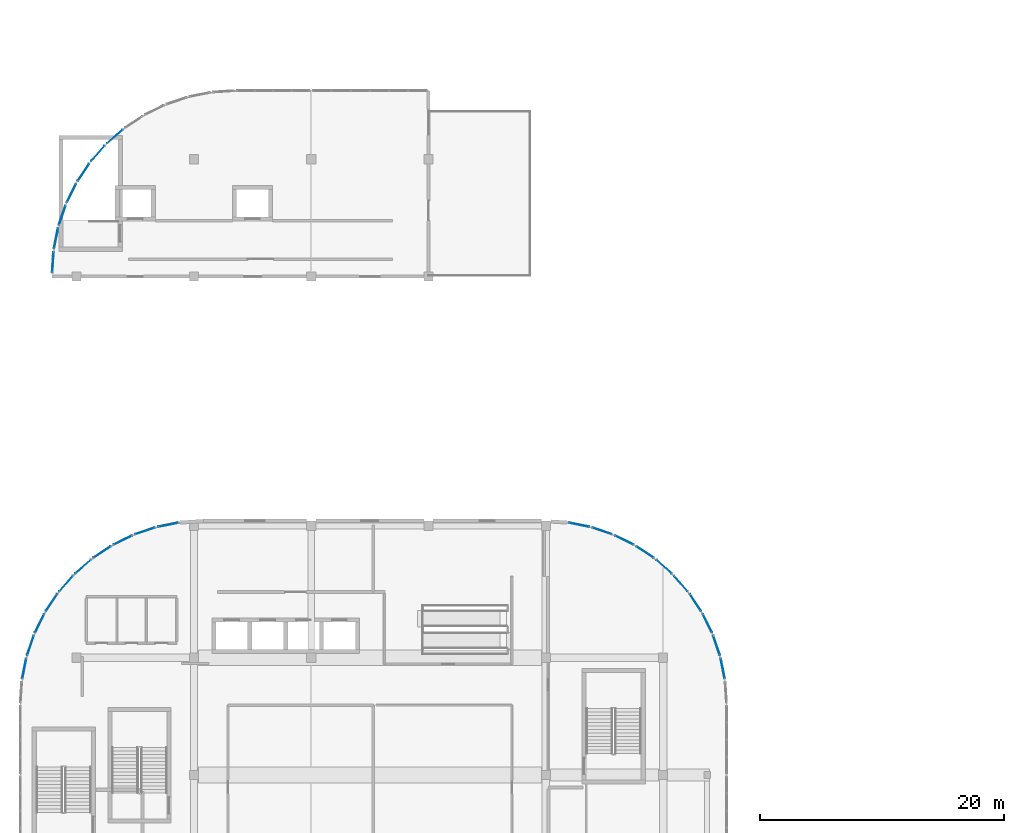
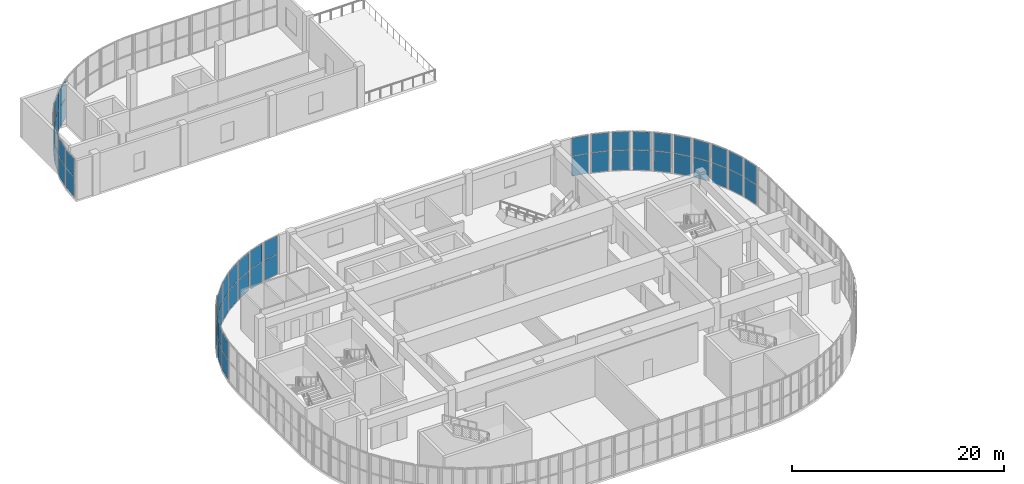
# One storey, part 18 of 28: 54 plates, 27 elements without a shape of their own.
"""IFC4 building model written with IfcOpenShell, lengths in metres."""

from ifc_helpers import new_model, si_unit, direction, frame, origin, origin_2d, place, context, subcontext, project, spatial, rectangle, extrude, material, layer, layer_set, type_object, element, aggregate, save


model = new_model("IFC4")

# Units and contexts
model_context = context("Model", 3, precision=1e-05, world=origin(), true_north=direction((0.0, 1.0)))
body_context = subcontext(model_context, "Body", "Model", "MODEL_VIEW")
ifc_project = project(units=[si_unit("LENGTHUNIT", "METRE"), si_unit("AREAUNIT", "SQUARE_METRE"), si_unit("VOLUMEUNIT", "CUBIC_METRE"), si_unit("PLANEANGLEUNIT", "RADIAN"), si_unit("MASSUNIT", "GRAM", prefix="KILO")], contexts=[model_context])

# Site, building, storey
site_placement = place(None, origin())
site = spatial("IfcSite", under=ifc_project, at=site_placement, CompositionType="ELEMENT")
building_placement = place(site_placement, origin())
building = spatial("IfcBuilding", under=site, at=building_placement, Name="Cendralis Terraced Arcade", CompositionType="ELEMENT")
storey_placement = place(building_placement, frame((0.0, 0.0, 24.60009765625)))
storey = spatial("IfcBuildingStorey", under=building, at=storey_placement, Name="L05", CompositionType="ELEMENT", Elevation=24.60009765625)

# Curtain wall, plates
ifc_material_1 = material(Name="Anodised aluminium EN AW-6063 T6", Category="aluminium")
ifc_layer_1 = layer(ifc_material_1, 0.179931640625, Name="CW-UNIT-A")
ifc_layer_set_1 = layer_set([ifc_layer_1], Name="Anodised aluminium EN AW-6063 T6")
curtain_wall_type = type_object("IfcCurtainWallType", Name="CW-UNIT-A", PredefinedType="USERDEFINED", material=ifc_layer_set_1)
curtain_wall_1_placement = place(storey_placement, origin())
curtain_wall_1 = element("IfcCurtainWall", 1, at=curtain_wall_1_placement, inside=storey, type_object=curtain_wall_type, Name="Exterior Unitised Facade CW-L05-0380", ObjectType="UNITISED FACADE", PredefinedType="USERDEFINED")
ifc_material_2 = material(Name="Tempered solar control laminated glass", Category="glass")
ifc_layer_2 = layer(ifc_material_2, 0.035888671875, Name="CW-UNIT-A-PNL")
ifc_layer_set_2 = layer_set([ifc_layer_2], Name="Tempered solar control laminated glass")
plate_type = type_object("IfcPlateType", Name="CW-UNIT-A-PNL", PredefinedType="CURTAIN_PANEL", material=ifc_layer_set_2)
plate_1_placement = place(storey_placement, frame((5.319580078125, 37.52001953125, 0.06494140625), z_axis=(0.0, 0.0, 1.0), x_axis=(0.195058454434, 0.980791618721, 0.0)))
plate_1 = element("IfcPlate", 2, at=plate_1_placement, type_object=plate_type, Name="CW-U1 panel 1.1", PredefinedType="CURTAIN_PANEL", context=body_context, shape_type="SweptSolid", body=[
    extrude(rectangle(XDim=1.652099609375, YDim=0.035888671875, at=origin_2d()), origin(), (0.0, 0.0, 1.0), 2.247802734375),
])
plate_2_placement = place(storey_placement, frame((5.319580078125, 37.52001953125, 2.37744140625), z_axis=(0.0, 0.0, 1.0), x_axis=(0.195058454434, 0.980791618721, 0.0)))
plate_2 = element("IfcPlate", 3, at=plate_2_placement, type_object=plate_type, Name="CW-U1 panel 1.2", PredefinedType="CURTAIN_PANEL", context=body_context, shape_type="SweptSolid", body=[
    extrude(rectangle(XDim=1.652099609375, YDim=0.035888671875, at=origin_2d()), origin(), (0.0, 0.0, 1.0), 2.0673828125),
])
aggregate(curtain_wall_1, [plate_1, plate_2])

curtain_wall_2_placement = place(storey_placement, origin())
curtain_wall_2 = element("IfcCurtainWall", 4, at=curtain_wall_2_placement, inside=storey, type_object=curtain_wall_type, Name="Exterior Unitised Facade CW-L05-0381", ObjectType="UNITISED FACADE", PredefinedType="USERDEFINED")
plate_3_placement = place(storey_placement, frame((5.826416015625, 39.411376953125, 0.06494140625), z_axis=(0.0, 0.0, 1.0), x_axis=(0.321458077458, 0.946923811316, 0.0)))
plate_3 = element("IfcPlate", 5, at=plate_3_placement, type_object=plate_type, Name="CW-U1 panel 1.1", PredefinedType="CURTAIN_PANEL", context=body_context, shape_type="SweptSolid", body=[
    extrude(rectangle(XDim=1.652099609375, YDim=0.035888671875, at=origin_2d()), origin(), (0.0, 0.0, 1.0), 2.247802734375),
])
plate_4_placement = place(storey_placement, frame((5.826416015625, 39.411376953125, 2.37744140625), z_axis=(0.0, 0.0, 1.0), x_axis=(0.321458077458, 0.946923811316, 0.0)))
plate_4 = element("IfcPlate", 6, at=plate_4_placement, type_object=plate_type, Name="CW-U1 panel 1.2", PredefinedType="CURTAIN_PANEL", context=body_context, shape_type="SweptSolid", body=[
    extrude(rectangle(XDim=1.652099609375, YDim=0.035888671875, at=origin_2d()), origin(), (0.0, 0.0, 1.0), 2.0673828125),
])
aggregate(curtain_wall_2, [plate_3, plate_4])

curtain_wall_3_placement = place(storey_placement, origin())
curtain_wall_3 = element("IfcCurtainWall", 7, at=curtain_wall_3_placement, inside=storey, type_object=curtain_wall_type, Name="Exterior Unitised Facade CW-L05-0382", ObjectType="UNITISED FACADE", PredefinedType="USERDEFINED")
plate_5_placement = place(storey_placement, frame((6.57568359375, 41.22021484375, 0.06494140625), z_axis=(0.0, 0.0, 1.0), x_axis=(0.442291247495, 0.896871480419, 0.0)))
plate_5 = element("IfcPlate", 8, at=plate_5_placement, type_object=plate_type, Name="CW-U1 panel 1.1", PredefinedType="CURTAIN_PANEL", context=body_context, shape_type="SweptSolid", body=[
    extrude(rectangle(XDim=1.652099609375, YDim=0.035888671875, at=origin_2d()), origin(), (0.0, 0.0, 1.0), 2.247802734375),
])
plate_6_placement = place(storey_placement, frame((6.57568359375, 41.22021484375, 2.37744140625), z_axis=(0.0, 0.0, 1.0), x_axis=(0.442291247495, 0.896871480419, 0.0)))
plate_6 = element("IfcPlate", 9, at=plate_6_placement, type_object=plate_type, Name="CW-U1 panel 1.2", PredefinedType="CURTAIN_PANEL", context=body_context, shape_type="SweptSolid", body=[
    extrude(rectangle(XDim=1.652099609375, YDim=0.035888671875, at=origin_2d()), origin(), (0.0, 0.0, 1.0), 2.0673828125),
])
aggregate(curtain_wall_3, [plate_5, plate_6])

curtain_wall_4_placement = place(storey_placement, origin())
curtain_wall_4 = element("IfcCurtainWall", 10, at=curtain_wall_4_placement, inside=storey, type_object=curtain_wall_type, Name="Exterior Unitised Facade CW-L05-0383", ObjectType="UNITISED FACADE", PredefinedType="USERDEFINED")
plate_7_placement = place(storey_placement, frame((7.5546875, 42.915771484375, 0.06494140625), z_axis=(0.0, 0.0, 1.0), x_axis=(0.555567476528, 0.831471454125, 0.0)))
plate_7 = element("IfcPlate", 11, at=plate_7_placement, type_object=plate_type, Name="CW-U1 panel 1.1", PredefinedType="CURTAIN_PANEL", context=body_context, shape_type="SweptSolid", body=[
    extrude(rectangle(XDim=1.652099609375, YDim=0.035888671875, at=origin_2d()), origin(), (0.0, 0.0, 1.0), 2.247802734375),
])
plate_8_placement = place(storey_placement, frame((7.5546875, 42.915771484375, 2.37744140625), z_axis=(0.0, 0.0, 1.0), x_axis=(0.555567476528, 0.831471454125, 0.0)))
plate_8 = element("IfcPlate", 12, at=plate_8_placement, type_object=plate_type, Name="CW-U1 panel 1.2", PredefinedType="CURTAIN_PANEL", context=body_context, shape_type="SweptSolid", body=[
    extrude(rectangle(XDim=1.652099609375, YDim=0.035888671875, at=origin_2d()), origin(), (0.0, 0.0, 1.0), 2.0673828125),
])
aggregate(curtain_wall_4, [plate_7, plate_8])

curtain_wall_5_placement = place(storey_placement, origin())
curtain_wall_5 = element("IfcCurtainWall", 13, at=curtain_wall_5_placement, inside=storey, type_object=curtain_wall_type, Name="Exterior Unitised Facade CW-L05-0384", ObjectType="UNITISED FACADE", PredefinedType="USERDEFINED")
plate_9_placement = place(storey_placement, frame((8.74658203125, 44.468994140625, 0.06494140625), z_axis=(0.0, 0.0, 1.0), x_axis=(0.659386076266, 0.751804497477, 0.0)))
plate_9 = element("IfcPlate", 14, at=plate_9_placement, type_object=plate_type, Name="CW-U1 panel 1.1", PredefinedType="CURTAIN_PANEL", context=body_context, shape_type="SweptSolid", body=[
    extrude(rectangle(XDim=1.652099609375, YDim=0.035888671875, at=origin_2d()), origin(), (0.0, 0.0, 1.0), 2.247802734375),
])
plate_10_placement = place(storey_placement, frame((8.74658203125, 44.468994140625, 2.37744140625), z_axis=(0.0, 0.0, 1.0), x_axis=(0.659386076266, 0.751804497477, 0.0)))
plate_10 = element("IfcPlate", 15, at=plate_10_placement, type_object=plate_type, Name="CW-U1 panel 1.2", PredefinedType="CURTAIN_PANEL", context=body_context, shape_type="SweptSolid", body=[
    extrude(rectangle(XDim=1.652099609375, YDim=0.035888671875, at=origin_2d()), origin(), (0.0, 0.0, 1.0), 2.0673828125),
])
aggregate(curtain_wall_5, [plate_9, plate_10])

curtain_wall_6_placement = place(storey_placement, origin())
curtain_wall_6 = element("IfcCurtainWall", 16, at=curtain_wall_6_placement, inside=storey, type_object=curtain_wall_type, Name="Exterior Unitised Facade CW-L05-0385", ObjectType="UNITISED FACADE", PredefinedType="USERDEFINED")
plate_11_placement = place(storey_placement, frame((10.131103515625, 45.853515625, 0.06494140625), z_axis=(0.0, 0.0, 1.0), x_axis=(0.751804497477, 0.659386076266, 0.0)))
plate_11 = element("IfcPlate", 17, at=plate_11_placement, type_object=plate_type, Name="CW-U1 panel 1.1", PredefinedType="CURTAIN_PANEL", context=body_context, shape_type="SweptSolid", body=[
    extrude(rectangle(XDim=1.652099609375, YDim=0.035888671875, at=origin_2d()), origin(), (0.0, 0.0, 1.0), 2.247802734375),
])
plate_12_placement = place(storey_placement, frame((10.131103515625, 45.853515625, 2.37744140625), z_axis=(0.0, 0.0, 1.0), x_axis=(0.751804497477, 0.659386076266, 0.0)))
plate_12 = element("IfcPlate", 18, at=plate_12_placement, type_object=plate_type, Name="CW-U1 panel 1.2", PredefinedType="CURTAIN_PANEL", context=body_context, shape_type="SweptSolid", body=[
    extrude(rectangle(XDim=1.652099609375, YDim=0.035888671875, at=origin_2d()), origin(), (0.0, 0.0, 1.0), 2.0673828125),
])
aggregate(curtain_wall_6, [plate_11, plate_12])

curtain_wall_7_placement = place(storey_placement, origin())
curtain_wall_7 = element("IfcCurtainWall", 19, at=curtain_wall_7_placement, inside=storey, type_object=curtain_wall_type, Name="Exterior Unitised Facade CW-L05-0386", ObjectType="UNITISED FACADE", PredefinedType="USERDEFINED")
plate_13_placement = place(storey_placement, frame((11.684326171875, 47.04541015625, 0.06494140625), z_axis=(0.0, 0.0, 1.0), x_axis=(0.831471454125, 0.555567476528, 0.0)))
plate_13 = element("IfcPlate", 20, at=plate_13_placement, type_object=plate_type, Name="CW-U1 panel 1.1", PredefinedType="CURTAIN_PANEL", context=body_context, shape_type="SweptSolid", body=[
    extrude(rectangle(XDim=1.652099609375, YDim=0.035888671875, at=origin_2d()), origin(), (0.0, 0.0, 1.0), 2.247802734375),
])
plate_14_placement = place(storey_placement, frame((11.684326171875, 47.04541015625, 2.37744140625), z_axis=(0.0, 0.0, 1.0), x_axis=(0.831471454125, 0.555567476528, 0.0)))
plate_14 = element("IfcPlate", 21, at=plate_14_placement, type_object=plate_type, Name="CW-U1 panel 1.2", PredefinedType="CURTAIN_PANEL", context=body_context, shape_type="SweptSolid", body=[
    extrude(rectangle(XDim=1.652099609375, YDim=0.035888671875, at=origin_2d()), origin(), (0.0, 0.0, 1.0), 2.0673828125),
])
aggregate(curtain_wall_7, [plate_13, plate_14])

curtain_wall_8_placement = place(storey_placement, origin())
curtain_wall_8 = element("IfcCurtainWall", 22, at=curtain_wall_8_placement, inside=storey, type_object=curtain_wall_type, Name="Exterior Unitised Facade CW-L05-0387", ObjectType="UNITISED FACADE", PredefinedType="USERDEFINED")
plate_15_placement = place(storey_placement, frame((13.3798828125, 48.0244140625, 0.06494140625), z_axis=(0.0, 0.0, 1.0), x_axis=(0.896871480419, 0.442291247495, 0.0)))
plate_15 = element("IfcPlate", 23, at=plate_15_placement, type_object=plate_type, Name="CW-U1 panel 1.1", PredefinedType="CURTAIN_PANEL", context=body_context, shape_type="SweptSolid", body=[
    extrude(rectangle(XDim=1.652099609375, YDim=0.035888671875, at=origin_2d()), origin(), (0.0, 0.0, 1.0), 2.247802734375),
])
plate_16_placement = place(storey_placement, frame((13.3798828125, 48.0244140625, 2.37744140625), z_axis=(0.0, 0.0, 1.0), x_axis=(0.896871480419, 0.442291247495, 0.0)))
plate_16 = element("IfcPlate", 24, at=plate_16_placement, type_object=plate_type, Name="CW-U1 panel 1.2", PredefinedType="CURTAIN_PANEL", context=body_context, shape_type="SweptSolid", body=[
    extrude(rectangle(XDim=1.652099609375, YDim=0.035888671875, at=origin_2d()), origin(), (0.0, 0.0, 1.0), 2.0673828125),
])
aggregate(curtain_wall_8, [plate_15, plate_16])

curtain_wall_9_placement = place(storey_placement, origin())
curtain_wall_9 = element("IfcCurtainWall", 25, at=curtain_wall_9_placement, inside=storey, type_object=curtain_wall_type, Name="Exterior Unitised Facade CW-L05-0388", ObjectType="UNITISED FACADE", PredefinedType="USERDEFINED")
plate_17_placement = place(storey_placement, frame((15.188720703125, 48.7734375, 0.06494140625), z_axis=(0.0, 0.0, 1.0), x_axis=(0.946923811316, 0.321458077458, 0.0)))
plate_17 = element("IfcPlate", 26, at=plate_17_placement, type_object=plate_type, Name="CW-U1 panel 1.1", PredefinedType="CURTAIN_PANEL", context=body_context, shape_type="SweptSolid", body=[
    extrude(rectangle(XDim=1.652099609375, YDim=0.035888671875, at=origin_2d()), origin(), (0.0, 0.0, 1.0), 2.247802734375),
])
plate_18_placement = place(storey_placement, frame((15.188720703125, 48.7734375, 2.37744140625), z_axis=(0.0, 0.0, 1.0), x_axis=(0.946923811316, 0.321458077458, 0.0)))
plate_18 = element("IfcPlate", 27, at=plate_18_placement, type_object=plate_type, Name="CW-U1 panel 1.2", PredefinedType="CURTAIN_PANEL", context=body_context, shape_type="SweptSolid", body=[
    extrude(rectangle(XDim=1.652099609375, YDim=0.035888671875, at=origin_2d()), origin(), (0.0, 0.0, 1.0), 2.0673828125),
])
aggregate(curtain_wall_9, [plate_17, plate_18])

curtain_wall_10_placement = place(storey_placement, origin())
curtain_wall_10 = element("IfcCurtainWall", 28, at=curtain_wall_10_placement, inside=storey, type_object=curtain_wall_type, Name="Exterior Unitised Facade CW-L05-0389", ObjectType="UNITISED FACADE", PredefinedType="USERDEFINED")
plate_19_placement = place(storey_placement, frame((17.079833984375, 49.2802734375, 0.06494140625), z_axis=(0.0, 0.0, 1.0), x_axis=(0.980791618721, 0.195058454434, 0.0)))
plate_19 = element("IfcPlate", 29, at=plate_19_placement, type_object=plate_type, Name="CW-U1 panel 1.1", PredefinedType="CURTAIN_PANEL", context=body_context, shape_type="SweptSolid", body=[
    extrude(rectangle(XDim=1.652099609375, YDim=0.035888671875, at=origin_2d()), origin(), (0.0, 0.0, 1.0), 2.247802734375),
])
plate_20_placement = place(storey_placement, frame((17.079833984375, 49.2802734375, 2.37744140625), z_axis=(0.0, 0.0, 1.0), x_axis=(0.980791618721, 0.195058454434, 0.0)))
plate_20 = element("IfcPlate", 30, at=plate_20_placement, type_object=plate_type, Name="CW-U1 panel 1.2", PredefinedType="CURTAIN_PANEL", context=body_context, shape_type="SweptSolid", body=[
    extrude(rectangle(XDim=1.652099609375, YDim=0.035888671875, at=origin_2d()), origin(), (0.0, 0.0, 1.0), 2.0673828125),
])
aggregate(curtain_wall_10, [plate_19, plate_20])

curtain_wall_11_placement = place(storey_placement, origin())
curtain_wall_11 = element("IfcCurtainWall", 31, at=curtain_wall_11_placement, inside=storey, type_object=curtain_wall_type, Name="Exterior Unitised Facade CW-L05-0390", ObjectType="UNITISED FACADE", PredefinedType="USERDEFINED")
plate_21_placement = place(storey_placement, frame((50.72021484375, 49.2802734375, 0.06494140625), z_axis=(0.0, 0.0, 1.0), x_axis=(0.980791618721, -0.195058454434, 0.0)))
plate_21 = element("IfcPlate", 32, at=plate_21_placement, type_object=plate_type, Name="CW-U1 panel 1.1", PredefinedType="CURTAIN_PANEL", context=body_context, shape_type="SweptSolid", body=[
    extrude(rectangle(XDim=1.652099609375, YDim=0.035888671875, at=origin_2d()), origin(), (0.0, 0.0, 1.0), 2.247802734375),
])
plate_22_placement = place(storey_placement, frame((50.72021484375, 49.2802734375, 2.37744140625), z_axis=(0.0, 0.0, 1.0), x_axis=(0.980791618721, -0.195058454434, 0.0)))
plate_22 = element("IfcPlate", 33, at=plate_22_placement, type_object=plate_type, Name="CW-U1 panel 1.2", PredefinedType="CURTAIN_PANEL", context=body_context, shape_type="SweptSolid", body=[
    extrude(rectangle(XDim=1.652099609375, YDim=0.035888671875, at=origin_2d()), origin(), (0.0, 0.0, 1.0), 2.0673828125),
])
aggregate(curtain_wall_11, [plate_21, plate_22])

curtain_wall_12_placement = place(storey_placement, origin())
curtain_wall_12 = element("IfcCurtainWall", 34, at=curtain_wall_12_placement, inside=storey, type_object=curtain_wall_type, Name="Exterior Unitised Facade CW-L05-0391", ObjectType="UNITISED FACADE", PredefinedType="USERDEFINED")
plate_23_placement = place(storey_placement, frame((52.611328125, 48.7734375, 0.06494140625), z_axis=(0.0, 0.0, 1.0), x_axis=(0.946923811316, -0.321458077458, 0.0)))
plate_23 = element("IfcPlate", 35, at=plate_23_placement, type_object=plate_type, Name="CW-U1 panel 1.1", PredefinedType="CURTAIN_PANEL", context=body_context, shape_type="SweptSolid", body=[
    extrude(rectangle(XDim=1.652099609375, YDim=0.035888671875, at=origin_2d()), origin(), (0.0, 0.0, 1.0), 2.247802734375),
])
plate_24_placement = place(storey_placement, frame((52.611328125, 48.7734375, 2.37744140625), z_axis=(0.0, 0.0, 1.0), x_axis=(0.946923811316, -0.321458077458, 0.0)))
plate_24 = element("IfcPlate", 36, at=plate_24_placement, type_object=plate_type, Name="CW-U1 panel 1.2", PredefinedType="CURTAIN_PANEL", context=body_context, shape_type="SweptSolid", body=[
    extrude(rectangle(XDim=1.652099609375, YDim=0.035888671875, at=origin_2d()), origin(), (0.0, 0.0, 1.0), 2.0673828125),
])
aggregate(curtain_wall_12, [plate_23, plate_24])

curtain_wall_13_placement = place(storey_placement, origin())
curtain_wall_13 = element("IfcCurtainWall", 37, at=curtain_wall_13_placement, inside=storey, type_object=curtain_wall_type, Name="Exterior Unitised Facade CW-L05-0392", ObjectType="UNITISED FACADE", PredefinedType="USERDEFINED")
plate_25_placement = place(storey_placement, frame((54.420166015625, 48.0244140625, 0.06494140625), z_axis=(0.0, 0.0, 1.0), x_axis=(0.896871480419, -0.442291247495, 0.0)))
plate_25 = element("IfcPlate", 38, at=plate_25_placement, type_object=plate_type, Name="CW-U1 panel 1.1", PredefinedType="CURTAIN_PANEL", context=body_context, shape_type="SweptSolid", body=[
    extrude(rectangle(XDim=1.652099609375, YDim=0.035888671875, at=origin_2d()), origin(), (0.0, 0.0, 1.0), 2.247802734375),
])
plate_26_placement = place(storey_placement, frame((54.420166015625, 48.0244140625, 2.37744140625), z_axis=(0.0, 0.0, 1.0), x_axis=(0.896871480419, -0.442291247495, 0.0)))
plate_26 = element("IfcPlate", 39, at=plate_26_placement, type_object=plate_type, Name="CW-U1 panel 1.2", PredefinedType="CURTAIN_PANEL", context=body_context, shape_type="SweptSolid", body=[
    extrude(rectangle(XDim=1.652099609375, YDim=0.035888671875, at=origin_2d()), origin(), (0.0, 0.0, 1.0), 2.0673828125),
])
aggregate(curtain_wall_13, [plate_25, plate_26])

curtain_wall_14_placement = place(storey_placement, origin())
curtain_wall_14 = element("IfcCurtainWall", 40, at=curtain_wall_14_placement, inside=storey, type_object=curtain_wall_type, Name="Exterior Unitised Facade CW-L05-0393", ObjectType="UNITISED FACADE", PredefinedType="USERDEFINED")
plate_27_placement = place(storey_placement, frame((56.11572265625, 47.04541015625, 0.06494140625), z_axis=(0.0, 0.0, 1.0), x_axis=(0.831471454125, -0.555567476528, 0.0)))
plate_27 = element("IfcPlate", 41, at=plate_27_placement, type_object=plate_type, Name="CW-U1 panel 1.1", PredefinedType="CURTAIN_PANEL", context=body_context, shape_type="SweptSolid", body=[
    extrude(rectangle(XDim=1.652099609375, YDim=0.035888671875, at=origin_2d()), origin(), (0.0, 0.0, 1.0), 2.247802734375),
])
plate_28_placement = place(storey_placement, frame((56.11572265625, 47.04541015625, 2.37744140625), z_axis=(0.0, 0.0, 1.0), x_axis=(0.831471454125, -0.555567476528, 0.0)))
plate_28 = element("IfcPlate", 42, at=plate_28_placement, type_object=plate_type, Name="CW-U1 panel 1.2", PredefinedType="CURTAIN_PANEL", context=body_context, shape_type="SweptSolid", body=[
    extrude(rectangle(XDim=1.652099609375, YDim=0.035888671875, at=origin_2d()), origin(), (0.0, 0.0, 1.0), 2.0673828125),
])
aggregate(curtain_wall_14, [plate_27, plate_28])

curtain_wall_15_placement = place(storey_placement, origin())
curtain_wall_15 = element("IfcCurtainWall", 43, at=curtain_wall_15_placement, inside=storey, type_object=curtain_wall_type, Name="Exterior Unitised Facade CW-L05-0394", ObjectType="UNITISED FACADE", PredefinedType="USERDEFINED")
plate_29_placement = place(storey_placement, frame((57.6689453125, 45.853515625, 0.06494140625), z_axis=(0.0, 0.0, 1.0), x_axis=(0.751804497477, -0.659386076266, 0.0)))
plate_29 = element("IfcPlate", 44, at=plate_29_placement, type_object=plate_type, Name="CW-U1 panel 1.1", PredefinedType="CURTAIN_PANEL", context=body_context, shape_type="SweptSolid", body=[
    extrude(rectangle(XDim=1.652099609375, YDim=0.035888671875, at=origin_2d()), origin(), (0.0, 0.0, 1.0), 2.247802734375),
])
plate_30_placement = place(storey_placement, frame((57.6689453125, 45.853515625, 2.37744140625), z_axis=(0.0, 0.0, 1.0), x_axis=(0.751804497477, -0.659386076266, 0.0)))
plate_30 = element("IfcPlate", 45, at=plate_30_placement, type_object=plate_type, Name="CW-U1 panel 1.2", PredefinedType="CURTAIN_PANEL", context=body_context, shape_type="SweptSolid", body=[
    extrude(rectangle(XDim=1.652099609375, YDim=0.035888671875, at=origin_2d()), origin(), (0.0, 0.0, 1.0), 2.0673828125),
])
aggregate(curtain_wall_15, [plate_29, plate_30])

curtain_wall_16_placement = place(storey_placement, origin())
curtain_wall_16 = element("IfcCurtainWall", 46, at=curtain_wall_16_placement, inside=storey, type_object=curtain_wall_type, Name="Exterior Unitised Facade CW-L05-0395", ObjectType="UNITISED FACADE", PredefinedType="USERDEFINED")
plate_31_placement = place(storey_placement, frame((59.053466796875, 44.468994140625, 0.06494140625), z_axis=(0.0, 0.0, 1.0), x_axis=(0.659386076266, -0.751804497477, 0.0)))
plate_31 = element("IfcPlate", 47, at=plate_31_placement, type_object=plate_type, Name="CW-U1 panel 1.1", PredefinedType="CURTAIN_PANEL", context=body_context, shape_type="SweptSolid", body=[
    extrude(rectangle(XDim=1.652099609375, YDim=0.035888671875, at=origin_2d()), origin(), (0.0, 0.0, 1.0), 2.247802734375),
])
plate_32_placement = place(storey_placement, frame((59.053466796875, 44.468994140625, 2.37744140625), z_axis=(0.0, 0.0, 1.0), x_axis=(0.659386076266, -0.751804497477, 0.0)))
plate_32 = element("IfcPlate", 48, at=plate_32_placement, type_object=plate_type, Name="CW-U1 panel 1.2", PredefinedType="CURTAIN_PANEL", context=body_context, shape_type="SweptSolid", body=[
    extrude(rectangle(XDim=1.652099609375, YDim=0.035888671875, at=origin_2d()), origin(), (0.0, 0.0, 1.0), 2.0673828125),
])
aggregate(curtain_wall_16, [plate_31, plate_32])

curtain_wall_17_placement = place(storey_placement, origin())
curtain_wall_17 = element("IfcCurtainWall", 49, at=curtain_wall_17_placement, inside=storey, type_object=curtain_wall_type, Name="Exterior Unitised Facade CW-L05-0396", ObjectType="UNITISED FACADE", PredefinedType="USERDEFINED")
plate_33_placement = place(storey_placement, frame((60.245361328125, 42.915771484375, 0.06494140625), z_axis=(0.0, 0.0, 1.0), x_axis=(0.555567476528, -0.831471454125, 0.0)))
plate_33 = element("IfcPlate", 50, at=plate_33_placement, type_object=plate_type, Name="CW-U1 panel 1.1", PredefinedType="CURTAIN_PANEL", context=body_context, shape_type="SweptSolid", body=[
    extrude(rectangle(XDim=1.652099609375, YDim=0.035888671875, at=origin_2d()), origin(), (0.0, 0.0, 1.0), 2.247802734375),
])
plate_34_placement = place(storey_placement, frame((60.245361328125, 42.915771484375, 2.37744140625), z_axis=(0.0, 0.0, 1.0), x_axis=(0.555567476528, -0.831471454125, 0.0)))
plate_34 = element("IfcPlate", 51, at=plate_34_placement, type_object=plate_type, Name="CW-U1 panel 1.2", PredefinedType="CURTAIN_PANEL", context=body_context, shape_type="SweptSolid", body=[
    extrude(rectangle(XDim=1.652099609375, YDim=0.035888671875, at=origin_2d()), origin(), (0.0, 0.0, 1.0), 2.0673828125),
])
aggregate(curtain_wall_17, [plate_33, plate_34])

curtain_wall_18_placement = place(storey_placement, origin())
curtain_wall_18 = element("IfcCurtainWall", 52, at=curtain_wall_18_placement, inside=storey, type_object=curtain_wall_type, Name="Exterior Unitised Facade CW-L05-0397", ObjectType="UNITISED FACADE", PredefinedType="USERDEFINED")
plate_35_placement = place(storey_placement, frame((61.224365234375, 41.22021484375, 0.06494140625), z_axis=(0.0, 0.0, 1.0), x_axis=(0.442291247495, -0.896871480419, 0.0)))
plate_35 = element("IfcPlate", 53, at=plate_35_placement, type_object=plate_type, Name="CW-U1 panel 1.1", PredefinedType="CURTAIN_PANEL", context=body_context, shape_type="SweptSolid", body=[
    extrude(rectangle(XDim=1.652099609375, YDim=0.035888671875, at=origin_2d()), origin(), (0.0, 0.0, 1.0), 2.247802734375),
])
plate_36_placement = place(storey_placement, frame((61.224365234375, 41.22021484375, 2.37744140625), z_axis=(0.0, 0.0, 1.0), x_axis=(0.442291247495, -0.896871480419, 0.0)))
plate_36 = element("IfcPlate", 54, at=plate_36_placement, type_object=plate_type, Name="CW-U1 panel 1.2", PredefinedType="CURTAIN_PANEL", context=body_context, shape_type="SweptSolid", body=[
    extrude(rectangle(XDim=1.652099609375, YDim=0.035888671875, at=origin_2d()), origin(), (0.0, 0.0, 1.0), 2.0673828125),
])
aggregate(curtain_wall_18, [plate_35, plate_36])

curtain_wall_19_placement = place(storey_placement, origin())
curtain_wall_19 = element("IfcCurtainWall", 55, at=curtain_wall_19_placement, inside=storey, type_object=curtain_wall_type, Name="Exterior Unitised Facade CW-L05-0398", ObjectType="UNITISED FACADE", PredefinedType="USERDEFINED")
plate_37_placement = place(storey_placement, frame((61.9736328125, 39.411376953125, 0.06494140625), z_axis=(0.0, 0.0, 1.0), x_axis=(0.321458077458, -0.946923811316, 0.0)))
plate_37 = element("IfcPlate", 56, at=plate_37_placement, type_object=plate_type, Name="CW-U1 panel 1.1", PredefinedType="CURTAIN_PANEL", context=body_context, shape_type="SweptSolid", body=[
    extrude(rectangle(XDim=1.652099609375, YDim=0.035888671875, at=origin_2d()), origin(), (0.0, 0.0, 1.0), 2.247802734375),
])
plate_38_placement = place(storey_placement, frame((61.9736328125, 39.411376953125, 2.37744140625), z_axis=(0.0, 0.0, 1.0), x_axis=(0.321458077458, -0.946923811316, 0.0)))
plate_38 = element("IfcPlate", 57, at=plate_38_placement, type_object=plate_type, Name="CW-U1 panel 1.2", PredefinedType="CURTAIN_PANEL", context=body_context, shape_type="SweptSolid", body=[
    extrude(rectangle(XDim=1.652099609375, YDim=0.035888671875, at=origin_2d()), origin(), (0.0, 0.0, 1.0), 2.0673828125),
])
aggregate(curtain_wall_19, [plate_37, plate_38])

curtain_wall_20_placement = place(storey_placement, origin())
curtain_wall_20 = element("IfcCurtainWall", 58, at=curtain_wall_20_placement, inside=storey, type_object=curtain_wall_type, Name="Exterior Unitised Facade CW-L05-0399", ObjectType="UNITISED FACADE", PredefinedType="USERDEFINED")
plate_39_placement = place(storey_placement, frame((62.480224609375, 37.52001953125, 0.06494140625), z_axis=(0.0, 0.0, 1.0), x_axis=(0.195058454434, -0.980791618721, 0.0)))
plate_39 = element("IfcPlate", 59, at=plate_39_placement, type_object=plate_type, Name="CW-U1 panel 1.1", PredefinedType="CURTAIN_PANEL", context=body_context, shape_type="SweptSolid", body=[
    extrude(rectangle(XDim=1.652099609375, YDim=0.035888671875, at=origin_2d()), origin(), (0.0, 0.0, 1.0), 2.247802734375),
])
plate_40_placement = place(storey_placement, frame((62.480224609375, 37.52001953125, 2.37744140625), z_axis=(0.0, 0.0, 1.0), x_axis=(0.195058454434, -0.980791618721, 0.0)))
plate_40 = element("IfcPlate", 60, at=plate_40_placement, type_object=plate_type, Name="CW-U1 panel 1.2", PredefinedType="CURTAIN_PANEL", context=body_context, shape_type="SweptSolid", body=[
    extrude(rectangle(XDim=1.652099609375, YDim=0.035888671875, at=origin_2d()), origin(), (0.0, 0.0, 1.0), 2.0673828125),
])
aggregate(curtain_wall_20, [plate_39, plate_40])

curtain_wall_21_placement = place(storey_placement, origin())
curtain_wall_21 = element("IfcCurtainWall", 61, at=curtain_wall_21_placement, inside=storey, type_object=curtain_wall_type, Name="Exterior Unitised Facade CW-L05-0431", ObjectType="UNITISED FACADE", PredefinedType="USERDEFINED")
plate_41_placement = place(storey_placement, frame((7.6640625, 70.779052734375, 0.06494140625), z_axis=(0.0, 0.0, 1.0), x_axis=(0.065371873798, 0.997860971336, 0.0)))
plate_41 = element("IfcPlate", 62, at=plate_41_placement, type_object=plate_type, Name="CW-U1 panel 1.1", PredefinedType="CURTAIN_PANEL", context=body_context, shape_type="SweptSolid", body=[
    extrude(rectangle(XDim=1.652099609375, YDim=0.035888671875, at=origin_2d()), origin(), (0.0, 0.0, 1.0), 2.247802734375),
])
plate_42_placement = place(storey_placement, frame((7.6640625, 70.779052734375, 2.37744140625), z_axis=(0.0, 0.0, 1.0), x_axis=(0.065371873798, 0.997860971336, 0.0)))
plate_42 = element("IfcPlate", 63, at=plate_42_placement, type_object=plate_type, Name="CW-U1 panel 1.2", PredefinedType="CURTAIN_PANEL", context=body_context, shape_type="SweptSolid", body=[
    extrude(rectangle(XDim=1.652099609375, YDim=0.035888671875, at=origin_2d()), origin(), (0.0, 0.0, 1.0), 2.0673828125),
])
aggregate(curtain_wall_21, [plate_41, plate_42])

curtain_wall_22_placement = place(storey_placement, origin())
curtain_wall_22 = element("IfcCurtainWall", 64, at=curtain_wall_22_placement, inside=storey, type_object=curtain_wall_type, Name="Exterior Unitised Facade CW-L05-0432", ObjectType="UNITISED FACADE", PredefinedType="USERDEFINED")
plate_43_placement = place(storey_placement, frame((7.919677734375, 72.72021484375, 0.06494140625), z_axis=(0.0, 0.0, 1.0), x_axis=(0.195058454434, 0.980791618721, 0.0)))
plate_43 = element("IfcPlate", 65, at=plate_43_placement, type_object=plate_type, Name="CW-U1 panel 1.1", PredefinedType="CURTAIN_PANEL", context=body_context, shape_type="SweptSolid", body=[
    extrude(rectangle(XDim=1.652099609375, YDim=0.035888671875, at=origin_2d()), origin(), (0.0, 0.0, 1.0), 2.247802734375),
])
plate_44_placement = place(storey_placement, frame((7.919677734375, 72.72021484375, 2.37744140625), z_axis=(0.0, 0.0, 1.0), x_axis=(0.195058454434, 0.980791618721, 0.0)))
plate_44 = element("IfcPlate", 66, at=plate_44_placement, type_object=plate_type, Name="CW-U1 panel 1.2", PredefinedType="CURTAIN_PANEL", context=body_context, shape_type="SweptSolid", body=[
    extrude(rectangle(XDim=1.652099609375, YDim=0.035888671875, at=origin_2d()), origin(), (0.0, 0.0, 1.0), 2.0673828125),
])
aggregate(curtain_wall_22, [plate_43, plate_44])

curtain_wall_23_placement = place(storey_placement, origin())
curtain_wall_23 = element("IfcCurtainWall", 67, at=curtain_wall_23_placement, inside=storey, type_object=curtain_wall_type, Name="Exterior Unitised Facade CW-L05-0433", ObjectType="UNITISED FACADE", PredefinedType="USERDEFINED")
plate_45_placement = place(storey_placement, frame((8.426513671875, 74.611328125, 0.06494140625), z_axis=(0.0, 0.0, 1.0), x_axis=(0.321458077458, 0.946923811316, 0.0)))
plate_45 = element("IfcPlate", 68, at=plate_45_placement, type_object=plate_type, Name="CW-U1 panel 1.1", PredefinedType="CURTAIN_PANEL", context=body_context, shape_type="SweptSolid", body=[
    extrude(rectangle(XDim=1.652099609375, YDim=0.035888671875, at=origin_2d()), origin(), (0.0, 0.0, 1.0), 2.247802734375),
])
plate_46_placement = place(storey_placement, frame((8.426513671875, 74.611328125, 2.37744140625), z_axis=(0.0, 0.0, 1.0), x_axis=(0.321458077458, 0.946923811316, 0.0)))
plate_46 = element("IfcPlate", 69, at=plate_46_placement, type_object=plate_type, Name="CW-U1 panel 1.2", PredefinedType="CURTAIN_PANEL", context=body_context, shape_type="SweptSolid", body=[
    extrude(rectangle(XDim=1.652099609375, YDim=0.035888671875, at=origin_2d()), origin(), (0.0, 0.0, 1.0), 2.0673828125),
])
aggregate(curtain_wall_23, [plate_45, plate_46])

curtain_wall_24_placement = place(storey_placement, origin())
curtain_wall_24 = element("IfcCurtainWall", 70, at=curtain_wall_24_placement, inside=storey, type_object=curtain_wall_type, Name="Exterior Unitised Facade CW-L05-0434", ObjectType="UNITISED FACADE", PredefinedType="USERDEFINED")
plate_47_placement = place(storey_placement, frame((9.17578125, 76.420166015625, 0.06494140625), z_axis=(0.0, 0.0, 1.0), x_axis=(0.442291247495, 0.896871480419, 0.0)))
plate_47 = element("IfcPlate", 71, at=plate_47_placement, type_object=plate_type, Name="CW-U1 panel 1.1", PredefinedType="CURTAIN_PANEL", context=body_context, shape_type="SweptSolid", body=[
    extrude(rectangle(XDim=1.652099609375, YDim=0.035888671875, at=origin_2d()), origin(), (0.0, 0.0, 1.0), 2.247802734375),
])
plate_48_placement = place(storey_placement, frame((9.17578125, 76.420166015625, 2.37744140625), z_axis=(0.0, 0.0, 1.0), x_axis=(0.442291247495, 0.896871480419, 0.0)))
plate_48 = element("IfcPlate", 72, at=plate_48_placement, type_object=plate_type, Name="CW-U1 panel 1.2", PredefinedType="CURTAIN_PANEL", context=body_context, shape_type="SweptSolid", body=[
    extrude(rectangle(XDim=1.652099609375, YDim=0.035888671875, at=origin_2d()), origin(), (0.0, 0.0, 1.0), 2.0673828125),
])
aggregate(curtain_wall_24, [plate_47, plate_48])

curtain_wall_25_placement = place(storey_placement, origin())
curtain_wall_25 = element("IfcCurtainWall", 73, at=curtain_wall_25_placement, inside=storey, type_object=curtain_wall_type, Name="Exterior Unitised Facade CW-L05-0435", ObjectType="UNITISED FACADE", PredefinedType="USERDEFINED")
plate_49_placement = place(storey_placement, frame((10.154541015625, 78.11572265625, 0.06494140625), z_axis=(0.0, 0.0, 1.0), x_axis=(0.555567476528, 0.831471454125, 0.0)))
plate_49 = element("IfcPlate", 74, at=plate_49_placement, type_object=plate_type, Name="CW-U1 panel 1.1", PredefinedType="CURTAIN_PANEL", context=body_context, shape_type="SweptSolid", body=[
    extrude(rectangle(XDim=1.652099609375, YDim=0.035888671875, at=origin_2d()), origin(), (0.0, 0.0, 1.0), 2.247802734375),
])
plate_50_placement = place(storey_placement, frame((10.154541015625, 78.11572265625, 2.37744140625), z_axis=(0.0, 0.0, 1.0), x_axis=(0.555567476528, 0.831471454125, 0.0)))
plate_50 = element("IfcPlate", 75, at=plate_50_placement, type_object=plate_type, Name="CW-U1 panel 1.2", PredefinedType="CURTAIN_PANEL", context=body_context, shape_type="SweptSolid", body=[
    extrude(rectangle(XDim=1.652099609375, YDim=0.035888671875, at=origin_2d()), origin(), (0.0, 0.0, 1.0), 2.0673828125),
])
aggregate(curtain_wall_25, [plate_49, plate_50])

curtain_wall_26_placement = place(storey_placement, origin())
curtain_wall_26 = element("IfcCurtainWall", 76, at=curtain_wall_26_placement, inside=storey, type_object=curtain_wall_type, Name="Exterior Unitised Facade CW-L05-0436", ObjectType="UNITISED FACADE", PredefinedType="USERDEFINED")
plate_51_placement = place(storey_placement, frame((11.346435546875, 79.6689453125, 0.06494140625), z_axis=(0.0, 0.0, 1.0), x_axis=(0.659386076266, 0.751804497477, 0.0)))
plate_51 = element("IfcPlate", 77, at=plate_51_placement, type_object=plate_type, Name="CW-U1 panel 1.1", PredefinedType="CURTAIN_PANEL", context=body_context, shape_type="SweptSolid", body=[
    extrude(rectangle(XDim=1.652099609375, YDim=0.035888671875, at=origin_2d()), origin(), (0.0, 0.0, 1.0), 2.247802734375),
])
plate_52_placement = place(storey_placement, frame((11.346435546875, 79.6689453125, 2.37744140625), z_axis=(0.0, 0.0, 1.0), x_axis=(0.659386076266, 0.751804497477, 0.0)))
plate_52 = element("IfcPlate", 78, at=plate_52_placement, type_object=plate_type, Name="CW-U1 panel 1.2", PredefinedType="CURTAIN_PANEL", context=body_context, shape_type="SweptSolid", body=[
    extrude(rectangle(XDim=1.652099609375, YDim=0.035888671875, at=origin_2d()), origin(), (0.0, 0.0, 1.0), 2.0673828125),
])
aggregate(curtain_wall_26, [plate_51, plate_52])

curtain_wall_27_placement = place(storey_placement, origin())
curtain_wall_27 = element("IfcCurtainWall", 79, at=curtain_wall_27_placement, inside=storey, type_object=curtain_wall_type, Name="Exterior Unitised Facade CW-L05-0437", ObjectType="UNITISED FACADE", PredefinedType="USERDEFINED")
plate_53_placement = place(storey_placement, frame((12.73095703125, 81.053466796875, 0.06494140625), z_axis=(0.0, 0.0, 1.0), x_axis=(0.751804497477, 0.659386076266, 0.0)))
plate_53 = element("IfcPlate", 80, at=plate_53_placement, type_object=plate_type, Name="CW-U1 panel 1.1", PredefinedType="CURTAIN_PANEL", context=body_context, shape_type="SweptSolid", body=[
    extrude(rectangle(XDim=1.652099609375, YDim=0.035888671875, at=origin_2d()), origin(), (0.0, 0.0, 1.0), 2.247802734375),
])
plate_54_placement = place(storey_placement, frame((12.73095703125, 81.053466796875, 2.37744140625), z_axis=(0.0, 0.0, 1.0), x_axis=(0.751804497477, 0.659386076266, 0.0)))
plate_54 = element("IfcPlate", 81, at=plate_54_placement, type_object=plate_type, Name="CW-U1 panel 1.2", PredefinedType="CURTAIN_PANEL", context=body_context, shape_type="SweptSolid", body=[
    extrude(rectangle(XDim=1.652099609375, YDim=0.035888671875, at=origin_2d()), origin(), (0.0, 0.0, 1.0), 2.0673828125),
])
aggregate(curtain_wall_27, [plate_53, plate_54])

save(model, "model.ifc")
